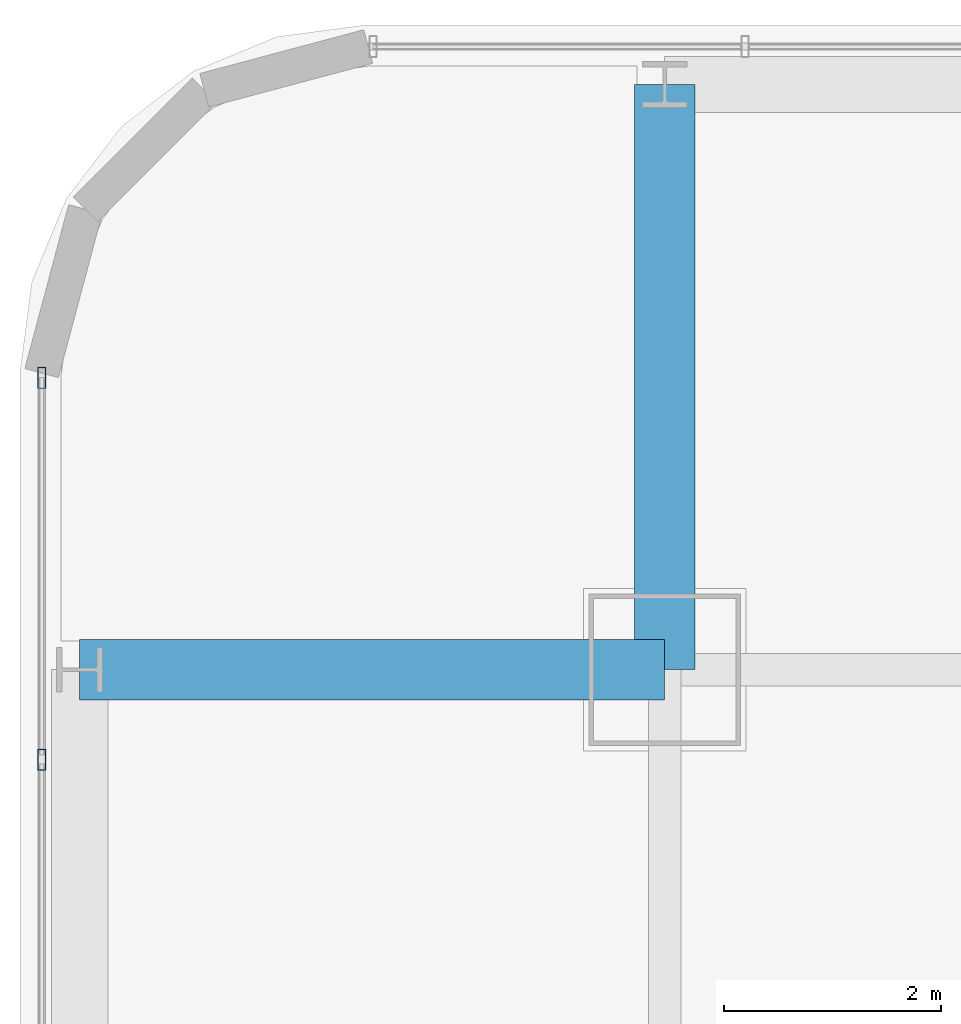
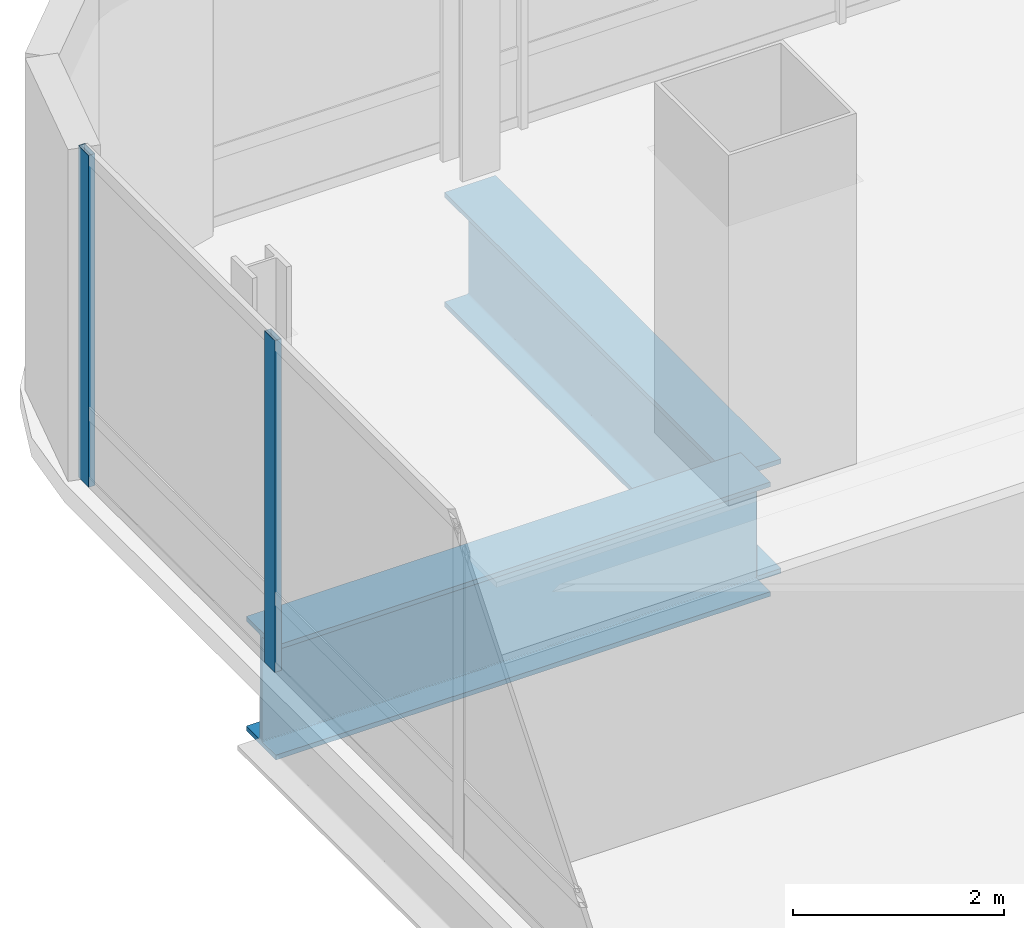
# One storey, part 19 of 38: 2 beams, 2 members, 1 element without a shape of its own.
"""IFC4 building model written with IfcOpenShell, lengths in metres."""

from ifc_helpers import new_model, si_unit, direction, frame, origin, origin_2d, place, context, subcontext, project, spatial, hollow_rectangle, i_section, extrude, material, material_profile, profile_set, type_object, element, aggregate, save


model = new_model("IFC4")

# Units and contexts
model_context = context("Model", 3, precision=1e-05, world=origin(), true_north=direction((0.0, 1.0)))
body_context = subcontext(model_context, "Body", "Model", "MODEL_VIEW")
ifc_project = project(units=[si_unit("LENGTHUNIT", "METRE"), si_unit("AREAUNIT", "SQUARE_METRE"), si_unit("VOLUMEUNIT", "CUBIC_METRE"), si_unit("PLANEANGLEUNIT", "RADIAN"), si_unit("MASSUNIT", "GRAM", prefix="KILO")], contexts=[model_context])

# Site, building, storey
site_placement = place(None, origin())
site = spatial("IfcSite", under=ifc_project, at=site_placement, CompositionType="ELEMENT")
building_placement = place(site_placement, origin())
building = spatial("IfcBuilding", under=site, at=building_placement, Name="Punatoya Terracotta Tower", CompositionType="ELEMENT")
storey_placement = place(building_placement, frame((0.0, 0.0, 156.0)))
storey = spatial("IfcBuildingStorey", under=building, at=storey_placement, Name="L36", CompositionType="ELEMENT", Elevation=156.0)

# Beams
ifc_material_1 = material(Name="Steel S460", Category="steel")
ifc_material_profile_1 = material_profile(ifc_material_1, i_section(OverallWidth=0.56005859375, OverallDepth=1.320068359375, WebThickness=0.035888671875, FlangeThickness=0.054931640625, FilletRadius=0.01806640625, at=origin_2d()))
ifc_profile_set_1 = profile_set([ifc_material_profile_1], Name="Steel S460")
beam_type = type_object("IfcBeamType", Name="BM-TG-BLK", PredefinedType="BEAM", material=ifc_profile_set_1)
for number, where, z_axis, x_axis, name in (
    (1, (-24.5, 17.5, -0.8798828125), (1.0, 0.0, 0.0), (0.0, 1.0, 0.0), "BM-L36-CANT-W4"),
    (2, (-19.10009765625, 17.5, -0.8798828125), (0.0, 1.0, 0.0), (-1.0, 0.0, 0.0), "BM-L36-CANT-N1"),
):
    element("IfcBeam", number, at=place(storey_placement, frame(where, z_axis=z_axis, x_axis=x_axis)), inside=storey, type_object=beam_type, Name=name, PredefinedType="BEAM", context=body_context, shape_type="SweptSolid", body=[
        extrude(i_section(OverallWidth=0.56005859375, OverallDepth=1.320068359375, WebThickness=0.035888671875, FlangeThickness=0.054931640625, FilletRadius=0.01806640625, at=origin_2d()), origin(), (0.0, 0.0, 1.0), 5.39990234375),
    ])

# Curtain wall, members
ifc_material_2 = material(Name="Aluminium 6063-T6 + Double Low-E Glass", Category="aluminium")
curtain_wall_type = type_object("IfcCurtainWallType", Name="CW-M2", PredefinedType="NOTDEFINED", material=ifc_material_2)
curtain_wall_placement = place(storey_placement, origin())
curtain_wall = element("IfcCurtainWall", 3, at=curtain_wall_placement, inside=storey, type_object=curtain_wall_type, Name="L36 Curtain Wall CW-L36-W13-1", PredefinedType="NOTDEFINED")
ifc_material_3 = material(Name="Aluminium 6063-T6", Category="aluminium")
ifc_material_profile_2 = material_profile(ifc_material_3, hollow_rectangle(XDim=0.072021484375, YDim=0.195068359375, WallThickness=0.00439453125, at=origin_2d()))
ifc_profile_set_2 = profile_set([ifc_material_profile_2], Name="Aluminium 6063-T6")
member_type = type_object("IfcMemberType", Name="CW-MUL-M2", PredefinedType="MULLION", material=ifc_profile_set_2)
member_1_placement = place(storey_placement, frame((-24.85009765625, 20.19189453125, 0.0), z_axis=(0.0, 0.0, 1.0), x_axis=(1.0, 0.0, 0.0)))
member_1 = element("IfcMember", 4, at=member_1_placement, type_object=member_type, Name="CW-L36-W13-1 Mullion 00", PredefinedType="MULLION", context=body_context, shape_type="SweptSolid", body=[
    extrude(hollow_rectangle(XDim=0.072021484375, YDim=0.195068359375, WallThickness=0.00439453125, at=origin_2d()), origin(), (0.0, 0.0, 1.0), 3.830078125),
])
member_2_placement = place(storey_placement, frame((-24.85009765625, 16.66943359375, 0.0), z_axis=(0.0, 0.0, 1.0), x_axis=(1.0, 0.0, 0.0)))
member_2 = element("IfcMember", 5, at=member_2_placement, type_object=member_type, Name="CW-L36-W13-1 Mullion 01", PredefinedType="MULLION", context=body_context, shape_type="SweptSolid", body=[
    extrude(hollow_rectangle(XDim=0.072021484375, YDim=0.195068359375, WallThickness=0.00439453125, at=origin_2d()), origin(), (0.0, 0.0, 1.0), 3.830078125),
])
aggregate(curtain_wall, [member_1, member_2])

save(model, "model.ifc")
